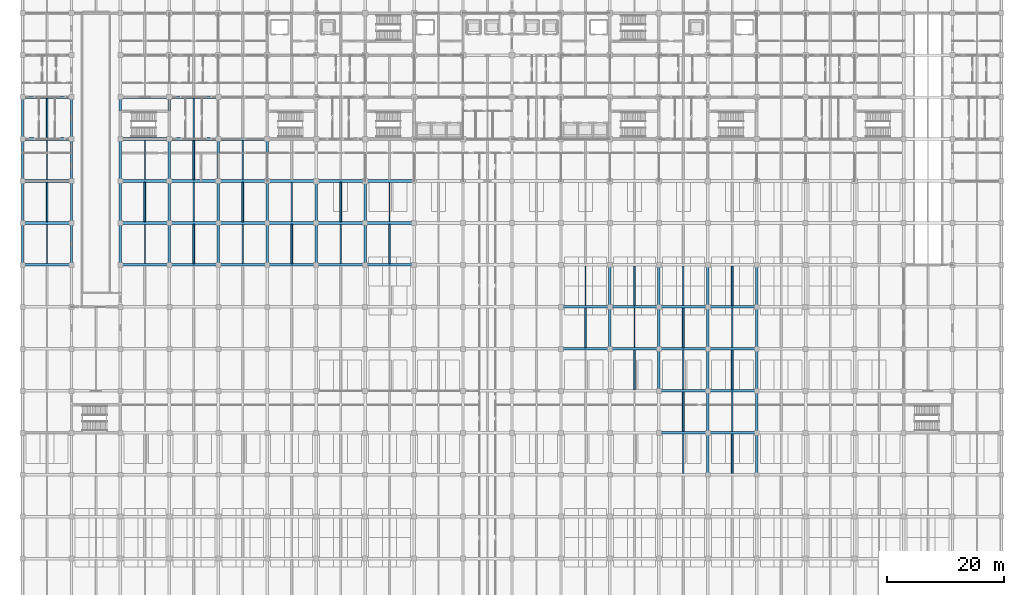
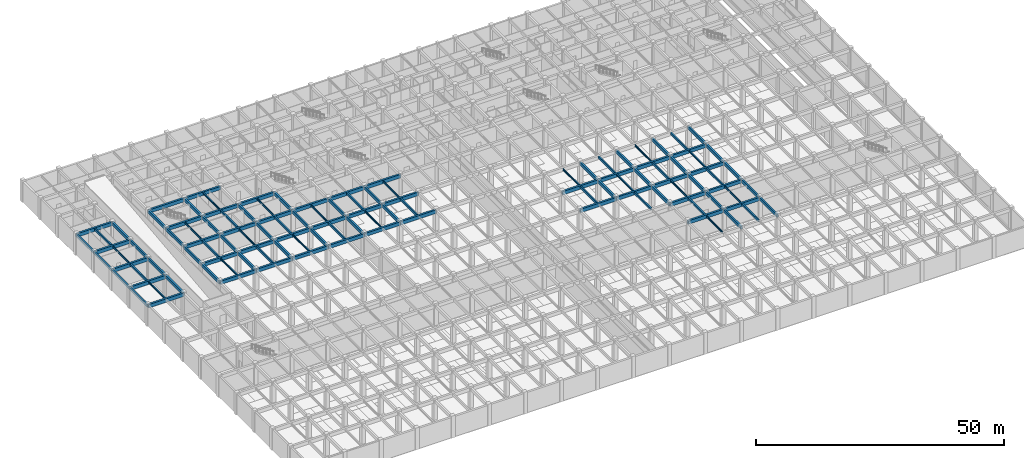
# One storey, part 6 of 48: 116 beams.
"""IFC4 building model written with IfcOpenShell, lengths in metres."""

from ifc_helpers import new_model, si_unit, direction, frame, origin, origin_2d, place, context, subcontext, project, spatial, rectangle, i_section, extrude, material, material_profile, profile_set, type_object, element, save


model = new_model("IFC4")

# Units and contexts
model_context = context("Model", 3, precision=1e-05, world=origin(), true_north=direction((0.0, 1.0)))
body_context = subcontext(model_context, "Body", "Model", "MODEL_VIEW")
ifc_project = project(units=[si_unit("LENGTHUNIT", "METRE"), si_unit("AREAUNIT", "SQUARE_METRE"), si_unit("VOLUMEUNIT", "CUBIC_METRE"), si_unit("PLANEANGLEUNIT", "RADIAN"), si_unit("MASSUNIT", "GRAM", prefix="KILO")], contexts=[model_context])

# Site, building, storey
site_placement = place(None, origin())
site = spatial("IfcSite", under=ifc_project, at=site_placement, CompositionType="ELEMENT")
building_placement = place(site_placement, origin())
building = spatial("IfcBuilding", under=site, at=building_placement, Name="Chengyuan Square Courthouse", CompositionType="ELEMENT")
storey_placement = place(building_placement, frame((0.0, 0.0, -5.39990234375)))
storey = spatial("IfcBuildingStorey", under=building, at=storey_placement, Name="B01", CompositionType="ELEMENT", Elevation=-5.39990234375)

# Beams
ifc_material_1 = material(Name="Concrete C40", Category="concrete")
ifc_material_profile_1 = material_profile(ifc_material_1, rectangle(XDim=0.449951171875, YDim=0.85009765625, at=origin_2d()), Name="RC-BM-450x850")
ifc_profile_set_1 = profile_set([ifc_material_profile_1], Name="Concrete C40")
beam_type_1 = type_object("IfcBeamType", Name="BM-01", PredefinedType="USERDEFINED", material=ifc_profile_set_1)
beam_1_placement = place(storey_placement, frame((109.199951171875, 36.0, 4.554931640625), z_axis=(1.0, 0.0, 0.0), x_axis=(0.0, 1.0, 0.0)))
element("IfcBeam", 1, at=beam_1_placement, inside=storey, type_object=beam_type_1, Name="Girder BM-B01-0785", ObjectType="GIRDER", PredefinedType="USERDEFINED", context=body_context, shape_type="SweptSolid", body=[
    extrude(rectangle(XDim=0.449951171875, YDim=0.85009765625, at=origin_2d()), origin(), (0.0, 0.0, 1.0), 8.400146484375),
])
beam_2_placement = place(storey_placement, frame((117.60009765625, 36.0, 4.554931640625), z_axis=(1.0, 0.0, 0.0), x_axis=(0.0, 1.0, 0.0)))
element("IfcBeam", 2, at=beam_2_placement, inside=storey, type_object=beam_type_1, Name="Girder BM-B01-0786", ObjectType="GIRDER", PredefinedType="USERDEFINED", context=body_context, shape_type="SweptSolid", body=[
    extrude(rectangle(XDim=0.449951171875, YDim=0.85009765625, at=origin_2d()), origin(), (0.0, 0.0, 1.0), 8.39990234375),
])
beam_3_placement = place(storey_placement, frame((109.199951171875, 43.199951171875, 4.554931640625), z_axis=(1.0, 0.0, 0.0), x_axis=(0.0, 1.0, 0.0)))
element("IfcBeam", 3, at=beam_3_placement, inside=storey, type_object=beam_type_1, Name="Girder BM-B01-0805", ObjectType="GIRDER", PredefinedType="USERDEFINED", context=body_context, shape_type="SweptSolid", body=[
    extrude(rectangle(XDim=0.449951171875, YDim=0.85009765625, at=origin_2d()), origin(), (0.0, 0.0, 1.0), 8.400146484375),
])
beam_4_placement = place(storey_placement, frame((117.60009765625, 43.199951171875, 4.554931640625), z_axis=(1.0, 0.0, 0.0), x_axis=(0.0, 1.0, 0.0)))
element("IfcBeam", 4, at=beam_4_placement, inside=storey, type_object=beam_type_1, Name="Girder BM-B01-0806", ObjectType="GIRDER", PredefinedType="USERDEFINED", context=body_context, shape_type="SweptSolid", body=[
    extrude(rectangle(XDim=0.449951171875, YDim=0.85009765625, at=origin_2d()), origin(), (0.0, 0.0, 1.0), 8.39990234375),
])
beam_5_placement = place(storey_placement, frame((92.39990234375, 50.39990234375, 4.554931640625), z_axis=(1.0, 0.0, 0.0), x_axis=(0.0, 1.0, 0.0)))
element("IfcBeam", 5, at=beam_5_placement, inside=storey, type_object=beam_type_1, Name="Girder BM-B01-0823", ObjectType="GIRDER", PredefinedType="USERDEFINED", context=body_context, shape_type="SweptSolid", body=[
    extrude(rectangle(XDim=0.449951171875, YDim=0.85009765625, at=origin_2d()), origin(), (0.0, 0.0, 1.0), 8.400146484375),
])
beam_6_placement = place(storey_placement, frame((100.800048828125, 50.39990234375, 4.554931640625), z_axis=(1.0, 0.0, 0.0), x_axis=(0.0, 1.0, 0.0)))
element("IfcBeam", 6, at=beam_6_placement, inside=storey, type_object=beam_type_1, Name="Girder BM-B01-0824", ObjectType="GIRDER", PredefinedType="USERDEFINED", context=body_context, shape_type="SweptSolid", body=[
    extrude(rectangle(XDim=0.449951171875, YDim=0.85009765625, at=origin_2d()), origin(), (0.0, 0.0, 1.0), 8.39990234375),
])
beam_7_placement = place(storey_placement, frame((109.199951171875, 50.39990234375, 4.554931640625), z_axis=(1.0, 0.0, 0.0), x_axis=(0.0, 1.0, 0.0)))
element("IfcBeam", 7, at=beam_7_placement, inside=storey, type_object=beam_type_1, Name="Girder BM-B01-0825", ObjectType="GIRDER", PredefinedType="USERDEFINED", context=body_context, shape_type="SweptSolid", body=[
    extrude(rectangle(XDim=0.449951171875, YDim=0.85009765625, at=origin_2d()), origin(), (0.0, 0.0, 1.0), 8.400146484375),
])
beam_8_placement = place(storey_placement, frame((117.60009765625, 50.39990234375, 4.554931640625), z_axis=(1.0, 0.0, 0.0), x_axis=(0.0, 1.0, 0.0)))
element("IfcBeam", 8, at=beam_8_placement, inside=storey, type_object=beam_type_1, Name="Girder BM-B01-0826", ObjectType="GIRDER", PredefinedType="USERDEFINED", context=body_context, shape_type="SweptSolid", body=[
    extrude(rectangle(XDim=0.449951171875, YDim=0.85009765625, at=origin_2d()), origin(), (0.0, 0.0, 1.0), 8.39990234375),
])
beam_9_placement = place(storey_placement, frame((92.39990234375, 57.60009765625, 4.554931640625), z_axis=(1.0, 0.0, 0.0), x_axis=(0.0, 1.0, 0.0)))
element("IfcBeam", 9, at=beam_9_placement, inside=storey, type_object=beam_type_1, Name="Girder BM-B01-0843", ObjectType="GIRDER", PredefinedType="USERDEFINED", context=body_context, shape_type="SweptSolid", body=[
    extrude(rectangle(XDim=0.449951171875, YDim=0.85009765625, at=origin_2d()), origin(), (0.0, 0.0, 1.0), 8.400146484375),
])
beam_10_placement = place(storey_placement, frame((100.800048828125, 57.60009765625, 4.554931640625), z_axis=(1.0, 0.0, 0.0), x_axis=(0.0, 1.0, 0.0)))
element("IfcBeam", 10, at=beam_10_placement, inside=storey, type_object=beam_type_1, Name="Girder BM-B01-0844", ObjectType="GIRDER", PredefinedType="USERDEFINED", context=body_context, shape_type="SweptSolid", body=[
    extrude(rectangle(XDim=0.449951171875, YDim=0.85009765625, at=origin_2d()), origin(), (0.0, 0.0, 1.0), 8.39990234375),
])
beam_11_placement = place(storey_placement, frame((109.199951171875, 57.60009765625, 4.554931640625), z_axis=(1.0, 0.0, 0.0), x_axis=(0.0, 1.0, 0.0)))
element("IfcBeam", 11, at=beam_11_placement, inside=storey, type_object=beam_type_1, Name="Girder BM-B01-0845", ObjectType="GIRDER", PredefinedType="USERDEFINED", context=body_context, shape_type="SweptSolid", body=[
    extrude(rectangle(XDim=0.449951171875, YDim=0.85009765625, at=origin_2d()), origin(), (0.0, 0.0, 1.0), 8.400146484375),
])
for number, where, z_axis, x_axis, name in (
    (12, (117.60009765625, 57.60009765625, 4.554931640625), (1.0, 0.0, 0.0), (0.0, 1.0, 0.0), "Girder BM-B01-0846"),
    (13, (0.0, 64.800048828125, 4.6748046875), (1.0, 0.0, 0.0), (0.0, 1.0, 0.0), "Girder BM-B01-0852"),
    (14, (16.800048828125, 64.800048828125, 4.554931640625), (1.0, 0.0, 0.0), (0.0, 1.0, 0.0), "Girder BM-B01-0853"),
):
    element("IfcBeam", number, at=place(storey_placement, frame(where, z_axis=z_axis, x_axis=x_axis)), inside=storey, type_object=beam_type_1, Name=name, ObjectType="GIRDER", PredefinedType="USERDEFINED", context=body_context, shape_type="SweptSolid", body=[
        extrude(rectangle(XDim=0.449951171875, YDim=0.85009765625, at=origin_2d()), origin(), (0.0, 0.0, 1.0), 8.39990234375),
    ])
beam_12_placement = place(storey_placement, frame((25.199951171875, 64.800048828125, 4.554931640625), z_axis=(1.0, 0.0, 0.0), x_axis=(0.0, 1.0, 0.0)))
element("IfcBeam", 15, at=beam_12_placement, inside=storey, type_object=beam_type_1, Name="Girder BM-B01-0854", ObjectType="GIRDER", PredefinedType="USERDEFINED", context=body_context, shape_type="SweptSolid", body=[
    extrude(rectangle(XDim=0.449951171875, YDim=0.85009765625, at=origin_2d()), origin(), (0.0, 0.0, 1.0), 8.400146484375),
])
for number, where, z_axis, x_axis, name in (
    (16, (33.60009765625, 64.800048828125, 4.554931640625), (1.0, 0.0, 0.0), (0.0, 1.0, 0.0), "Girder BM-B01-0855"),
    (17, (42.0, 64.800048828125, 4.554931640625), (1.0, 0.0, 0.0), (0.0, 1.0, 0.0), "Girder BM-B01-0856"),
):
    element("IfcBeam", number, at=place(storey_placement, frame(where, z_axis=z_axis, x_axis=x_axis)), inside=storey, type_object=beam_type_1, Name=name, ObjectType="GIRDER", PredefinedType="USERDEFINED", context=body_context, shape_type="SweptSolid", body=[
        extrude(rectangle(XDim=0.449951171875, YDim=0.85009765625, at=origin_2d()), origin(), (0.0, 0.0, 1.0), 8.39990234375),
    ])
beam_13_placement = place(storey_placement, frame((50.39990234375, 64.800048828125, 4.554931640625), z_axis=(1.0, 0.0, 0.0), x_axis=(0.0, 1.0, 0.0)))
element("IfcBeam", 18, at=beam_13_placement, inside=storey, type_object=beam_type_1, Name="Girder BM-B01-0857", ObjectType="GIRDER", PredefinedType="USERDEFINED", context=body_context, shape_type="SweptSolid", body=[
    extrude(rectangle(XDim=0.449951171875, YDim=0.85009765625, at=origin_2d()), origin(), (0.0, 0.0, 1.0), 8.400146484375),
])
for number, where, z_axis, x_axis, name in (
    (19, (58.800048828125, 64.800048828125, 4.554931640625), (1.0, 0.0, 0.0), (0.0, 1.0, 0.0), "Girder BM-B01-0858"),
    (20, (0.0, 72.0, 4.6748046875), (1.0, 0.0, 0.0), (0.0, 1.0, 0.0), "Girder BM-B01-0871"),
    (21, (16.800048828125, 72.0, 4.554931640625), (1.0, 0.0, 0.0), (0.0, 1.0, 0.0), "Girder BM-B01-0872"),
):
    element("IfcBeam", number, at=place(storey_placement, frame(where, z_axis=z_axis, x_axis=x_axis)), inside=storey, type_object=beam_type_1, Name=name, ObjectType="GIRDER", PredefinedType="USERDEFINED", context=body_context, shape_type="SweptSolid", body=[
        extrude(rectangle(XDim=0.449951171875, YDim=0.85009765625, at=origin_2d()), origin(), (0.0, 0.0, 1.0), 8.39990234375),
    ])
beam_14_placement = place(storey_placement, frame((25.199951171875, 72.0, 4.554931640625), z_axis=(1.0, 0.0, 0.0), x_axis=(0.0, 1.0, 0.0)))
element("IfcBeam", 22, at=beam_14_placement, inside=storey, type_object=beam_type_1, Name="Girder BM-B01-0873", ObjectType="GIRDER", PredefinedType="USERDEFINED", context=body_context, shape_type="SweptSolid", body=[
    extrude(rectangle(XDim=0.449951171875, YDim=0.85009765625, at=origin_2d()), origin(), (0.0, 0.0, 1.0), 8.400146484375),
])
for number, where, z_axis, x_axis, name in (
    (23, (33.60009765625, 72.0, 4.554931640625), (1.0, 0.0, 0.0), (0.0, 1.0, 0.0), "Girder BM-B01-0874"),
    (24, (42.0, 72.0, 4.554931640625), (1.0, 0.0, 0.0), (0.0, 1.0, 0.0), "Girder BM-B01-0875"),
):
    element("IfcBeam", number, at=place(storey_placement, frame(where, z_axis=z_axis, x_axis=x_axis)), inside=storey, type_object=beam_type_1, Name=name, ObjectType="GIRDER", PredefinedType="USERDEFINED", context=body_context, shape_type="SweptSolid", body=[
        extrude(rectangle(XDim=0.449951171875, YDim=0.85009765625, at=origin_2d()), origin(), (0.0, 0.0, 1.0), 8.39990234375),
    ])
beam_15_placement = place(storey_placement, frame((50.39990234375, 72.0, 4.554931640625), z_axis=(1.0, 0.0, 0.0), x_axis=(0.0, 1.0, 0.0)))
element("IfcBeam", 25, at=beam_15_placement, inside=storey, type_object=beam_type_1, Name="Girder BM-B01-0876", ObjectType="GIRDER", PredefinedType="USERDEFINED", context=body_context, shape_type="SweptSolid", body=[
    extrude(rectangle(XDim=0.449951171875, YDim=0.85009765625, at=origin_2d()), origin(), (0.0, 0.0, 1.0), 8.400146484375),
])
for number, where, z_axis, x_axis, name in (
    (26, (58.800048828125, 72.0, 4.554931640625), (1.0, 0.0, 0.0), (0.0, 1.0, 0.0), "Girder BM-B01-0877"),
    (27, (0.0, 79.199951171875, 4.6748046875), (1.0, 0.0, 0.0), (0.0, 1.0, 0.0), "Girder BM-B01-0890"),
    (28, (16.800048828125, 79.199951171875, 4.554931640625), (1.0, 0.0, 0.0), (0.0, 1.0, 0.0), "Girder BM-B01-0891"),
):
    element("IfcBeam", number, at=place(storey_placement, frame(where, z_axis=z_axis, x_axis=x_axis)), inside=storey, type_object=beam_type_1, Name=name, ObjectType="GIRDER", PredefinedType="USERDEFINED", context=body_context, shape_type="SweptSolid", body=[
        extrude(rectangle(XDim=0.449951171875, YDim=0.85009765625, at=origin_2d()), origin(), (0.0, 0.0, 1.0), 8.39990234375),
    ])
beam_16_placement = place(storey_placement, frame((25.199951171875, 79.199951171875, 4.554931640625), z_axis=(1.0, 0.0, 0.0), x_axis=(0.0, 1.0, 0.0)))
element("IfcBeam", 29, at=beam_16_placement, inside=storey, type_object=beam_type_1, Name="Girder BM-B01-0892", ObjectType="GIRDER", PredefinedType="USERDEFINED", context=body_context, shape_type="SweptSolid", body=[
    extrude(rectangle(XDim=0.449951171875, YDim=0.85009765625, at=origin_2d()), origin(), (0.0, 0.0, 1.0), 8.400146484375),
])
for number, where, z_axis, x_axis, name in (
    (30, (33.60009765625, 79.199951171875, 4.554931640625), (1.0, 0.0, 0.0), (0.0, 1.0, 0.0), "Girder BM-B01-0893"),
    (31, (42.0, 79.199951171875, 4.554931640625), (1.0, 0.0, 0.0), (0.0, 1.0, 0.0), "Girder BM-B01-0894"),
):
    element("IfcBeam", number, at=place(storey_placement, frame(where, z_axis=z_axis, x_axis=x_axis)), inside=storey, type_object=beam_type_1, Name=name, ObjectType="GIRDER", PredefinedType="USERDEFINED", context=body_context, shape_type="SweptSolid", body=[
        extrude(rectangle(XDim=0.449951171875, YDim=0.85009765625, at=origin_2d()), origin(), (0.0, 0.0, 1.0), 8.39990234375),
    ])
beam_17_placement = place(storey_placement, frame((50.39990234375, 79.199951171875, 4.554931640625), z_axis=(1.0, 0.0, 0.0), x_axis=(0.0, 1.0, 0.0)))
element("IfcBeam", 32, at=beam_17_placement, inside=storey, type_object=beam_type_1, Name="Girder BM-B01-0895", ObjectType="GIRDER", PredefinedType="USERDEFINED", context=body_context, shape_type="SweptSolid", body=[
    extrude(rectangle(XDim=0.449951171875, YDim=0.85009765625, at=origin_2d()), origin(), (0.0, 0.0, 1.0), 8.400146484375),
])
for number, where, z_axis, x_axis, name in (
    (33, (58.800048828125, 79.199951171875, 4.554931640625), (1.0, 0.0, 0.0), (0.0, 1.0, 0.0), "Girder BM-B01-0896"),
    (34, (0.0, 86.39990234375, 4.6748046875), (1.0, 0.0, 0.0), (0.0, 1.0, 0.0), "Girder BM-B01-0909"),
    (35, (16.800048828125, 86.39990234375, 4.6748046875), (1.0, 0.0, 0.0), (0.0, 1.0, 0.0), "Girder BM-B01-0910"),
):
    element("IfcBeam", number, at=place(storey_placement, frame(where, z_axis=z_axis, x_axis=x_axis)), inside=storey, type_object=beam_type_1, Name=name, ObjectType="GIRDER", PredefinedType="USERDEFINED", context=body_context, shape_type="SweptSolid", body=[
        extrude(rectangle(XDim=0.449951171875, YDim=0.85009765625, at=origin_2d()), origin(), (0.0, 0.0, 1.0), 8.39990234375),
    ])
beam_18_placement = place(storey_placement, frame((25.199951171875, 86.39990234375, 4.6748046875), z_axis=(1.0, 0.0, 0.0), x_axis=(0.0, 1.0, 0.0)))
element("IfcBeam", 36, at=beam_18_placement, inside=storey, type_object=beam_type_1, Name="Girder BM-B01-0911", ObjectType="GIRDER", PredefinedType="USERDEFINED", context=body_context, shape_type="SweptSolid", body=[
    extrude(rectangle(XDim=0.449951171875, YDim=0.85009765625, at=origin_2d()), origin(), (0.0, 0.0, 1.0), 8.400146484375),
])
for number, where, z_axis, x_axis, name in (
    (37, (33.60009765625, 86.39990234375, 4.6748046875), (1.0, 0.0, 0.0), (0.0, 1.0, 0.0), "Girder BM-B01-0912"),
    (38, (0.0, 93.60009765625, 4.6748046875), (1.0, 0.0, 0.0), (0.0, 1.0, 0.0), "Girder BM-B01-0928"),
    (39, (16.800048828125, 93.60009765625, 4.6748046875), (1.0, 0.0, 0.0), (0.0, 1.0, 0.0), "Girder BM-B01-0929"),
):
    element("IfcBeam", number, at=place(storey_placement, frame(where, z_axis=z_axis, x_axis=x_axis)), inside=storey, type_object=beam_type_1, Name=name, ObjectType="GIRDER", PredefinedType="USERDEFINED", context=body_context, shape_type="SweptSolid", body=[
        extrude(rectangle(XDim=0.449951171875, YDim=0.85009765625, at=origin_2d()), origin(), (0.0, 0.0, 1.0), 8.39990234375),
    ])
beam_19_placement = place(storey_placement, frame((25.199951171875, 93.60009765625, 4.6748046875), z_axis=(1.0, 0.0, 0.0), x_axis=(0.0, 1.0, 0.0)))
element("IfcBeam", 40, at=beam_19_placement, inside=storey, type_object=beam_type_1, Name="Girder BM-B01-0930", ObjectType="GIRDER", PredefinedType="USERDEFINED", context=body_context, shape_type="SweptSolid", body=[
    extrude(rectangle(XDim=0.449951171875, YDim=0.85009765625, at=origin_2d()), origin(), (0.0, 0.0, 1.0), 8.400146484375),
])
ifc_material_profile_2 = material_profile(ifc_material_1, rectangle(XDim=0.39990234375, YDim=0.75, at=origin_2d()), Name="RC-BM-400x750")
ifc_profile_set_2 = profile_set([ifc_material_profile_2], Name="Concrete C40")
beam_type_2 = type_object("IfcBeamType", Name="BM-02", PredefinedType="USERDEFINED", material=ifc_profile_set_2)
for number, where, z_axis, x_axis, name in (
    (41, (8.39990234375, 64.800048828125, 4.724853515625), (0.0, 1.0, 0.0), (-1.0, 0.0, 0.0), "Girder BM-B01-1031"),
    (42, (8.39990234375, 72.0, 4.724853515625), (0.0, 1.0, 0.0), (-1.0, 0.0, 0.0), "Girder BM-B01-1032"),
    (43, (8.39990234375, 79.199951171875, 4.724853515625), (0.0, 1.0, 0.0), (-1.0, 0.0, 0.0), "Girder BM-B01-1033"),
):
    element("IfcBeam", number, at=place(storey_placement, frame(where, z_axis=z_axis, x_axis=x_axis)), inside=storey, type_object=beam_type_2, Name=name, ObjectType="GIRDER", PredefinedType="USERDEFINED", context=body_context, shape_type="SweptSolid", body=[
        extrude(rectangle(XDim=0.39990234375, YDim=0.75, at=origin_2d()), origin(), (0.0, 0.0, 1.0), 7.199951171875),
    ])
beam_20_placement = place(storey_placement, frame((8.39990234375, 86.39990234375, 4.724853515625), z_axis=(0.0, 1.0, 0.0), x_axis=(-1.0, 0.0, 0.0)))
element("IfcBeam", 44, at=beam_20_placement, inside=storey, type_object=beam_type_2, Name="Girder BM-B01-1034", ObjectType="GIRDER", PredefinedType="USERDEFINED", context=body_context, shape_type="SweptSolid", body=[
    extrude(rectangle(XDim=0.39990234375, YDim=0.75, at=origin_2d()), origin(), (0.0, 0.0, 1.0), 7.2001953125),
])
for number, where, z_axis, x_axis, name in (
    (45, (16.800048828125, 64.800048828125, 4.60498046875), (0.0, 1.0, 0.0), (-1.0, 0.0, 0.0), "Girder BM-B01-1047"),
    (46, (16.800048828125, 72.0, 4.60498046875), (0.0, 1.0, 0.0), (-1.0, 0.0, 0.0), "Girder BM-B01-1048"),
    (47, (16.800048828125, 79.199951171875, 4.724853515625), (0.0, 1.0, 0.0), (-1.0, 0.0, 0.0), "Girder BM-B01-1049"),
):
    element("IfcBeam", number, at=place(storey_placement, frame(where, z_axis=z_axis, x_axis=x_axis)), inside=storey, type_object=beam_type_2, Name=name, ObjectType="GIRDER", PredefinedType="USERDEFINED", context=body_context, shape_type="SweptSolid", body=[
        extrude(rectangle(XDim=0.39990234375, YDim=0.75, at=origin_2d()), origin(), (0.0, 0.0, 1.0), 7.199951171875),
    ])
beam_21_placement = place(storey_placement, frame((16.800048828125, 86.39990234375, 4.724853515625), z_axis=(0.0, 1.0, 0.0), x_axis=(-1.0, 0.0, 0.0)))
element("IfcBeam", 48, at=beam_21_placement, inside=storey, type_object=beam_type_2, Name="Girder BM-B01-1050", ObjectType="GIRDER", PredefinedType="USERDEFINED", context=body_context, shape_type="SweptSolid", body=[
    extrude(rectangle(XDim=0.39990234375, YDim=0.75, at=origin_2d()), origin(), (0.0, 0.0, 1.0), 7.2001953125),
])
for number, where, z_axis, x_axis, name in (
    (49, (25.199951171875, 64.800048828125, 4.60498046875), (0.0, 1.0, 0.0), (-1.0, 0.0, 0.0), "Girder BM-B01-1063"),
    (50, (25.199951171875, 72.0, 4.60498046875), (0.0, 1.0, 0.0), (-1.0, 0.0, 0.0), "Girder BM-B01-1064"),
    (51, (25.199951171875, 79.199951171875, 4.724853515625), (0.0, 1.0, 0.0), (-1.0, 0.0, 0.0), "Girder BM-B01-1065"),
):
    element("IfcBeam", number, at=place(storey_placement, frame(where, z_axis=z_axis, x_axis=x_axis)), inside=storey, type_object=beam_type_2, Name=name, ObjectType="GIRDER", PredefinedType="USERDEFINED", context=body_context, shape_type="SweptSolid", body=[
        extrude(rectangle(XDim=0.39990234375, YDim=0.75, at=origin_2d()), origin(), (0.0, 0.0, 1.0), 7.199951171875),
    ])
beam_22_placement = place(storey_placement, frame((25.199951171875, 86.39990234375, 4.724853515625), z_axis=(0.0, 1.0, 0.0), x_axis=(-1.0, 0.0, 0.0)))
element("IfcBeam", 52, at=beam_22_placement, inside=storey, type_object=beam_type_2, Name="Girder BM-B01-1066", ObjectType="GIRDER", PredefinedType="USERDEFINED", context=body_context, shape_type="SweptSolid", body=[
    extrude(rectangle(XDim=0.39990234375, YDim=0.75, at=origin_2d()), origin(), (0.0, 0.0, 1.0), 7.2001953125),
])
for number, where, z_axis, x_axis, name in (
    (53, (33.60009765625, 64.800048828125, 4.60498046875), (0.0, 1.0, 0.0), (-1.0, 0.0, 0.0), "Girder BM-B01-1079"),
    (54, (33.60009765625, 72.0, 4.60498046875), (0.0, 1.0, 0.0), (-1.0, 0.0, 0.0), "Girder BM-B01-1080"),
    (55, (33.60009765625, 79.199951171875, 4.724853515625), (0.0, 1.0, 0.0), (-1.0, 0.0, 0.0), "Girder BM-B01-1081"),
    (56, (42.0, 64.800048828125, 4.60498046875), (0.0, 1.0, 0.0), (-1.0, 0.0, 0.0), "Girder BM-B01-1095"),
    (57, (42.0, 72.0, 4.60498046875), (0.0, 1.0, 0.0), (-1.0, 0.0, 0.0), "Girder BM-B01-1096"),
    (58, (42.0, 79.199951171875, 4.724853515625), (0.0, 1.0, 0.0), (-1.0, 0.0, 0.0), "Girder BM-B01-1097"),
    (59, (50.39990234375, 64.800048828125, 4.60498046875), (0.0, 1.0, 0.0), (-1.0, 0.0, 0.0), "Girder BM-B01-1111"),
    (60, (50.39990234375, 72.0, 4.60498046875), (0.0, 1.0, 0.0), (-1.0, 0.0, 0.0), "Girder BM-B01-1112"),
    (61, (58.800048828125, 64.800048828125, 4.60498046875), (0.0, 1.0, 0.0), (-1.0, 0.0, 0.0), "Girder BM-B01-1127"),
    (62, (58.800048828125, 72.0, 4.60498046875), (0.0, 1.0, 0.0), (-1.0, 0.0, 0.0), "Girder BM-B01-1128"),
):
    element("IfcBeam", number, at=place(storey_placement, frame(where, z_axis=z_axis, x_axis=x_axis)), inside=storey, type_object=beam_type_2, Name=name, ObjectType="GIRDER", PredefinedType="USERDEFINED", context=body_context, shape_type="SweptSolid", body=[
        extrude(rectangle(XDim=0.39990234375, YDim=0.75, at=origin_2d()), origin(), (0.0, 0.0, 1.0), 7.199951171875),
    ])
beam_23_placement = place(storey_placement, frame((100.800048828125, 50.39990234375, 4.60498046875), z_axis=(0.0, 1.0, 0.0), x_axis=(-1.0, 0.0, 0.0)))
element("IfcBeam", 63, at=beam_23_placement, inside=storey, type_object=beam_type_2, Name="Girder BM-B01-1205", ObjectType="GIRDER", PredefinedType="USERDEFINED", context=body_context, shape_type="SweptSolid", body=[
    extrude(rectangle(XDim=0.39990234375, YDim=0.75, at=origin_2d()), origin(), (0.0, 0.0, 1.0), 7.2001953125),
])
for number, where, z_axis, x_axis, name in (
    (64, (100.800048828125, 57.60009765625, 4.60498046875), (0.0, 1.0, 0.0), (-1.0, 0.0, 0.0), "Girder BM-B01-1206"),
    (65, (109.199951171875, 43.199951171875, 4.60498046875), (0.0, 1.0, 0.0), (-1.0, 0.0, 0.0), "Girder BM-B01-1220"),
):
    element("IfcBeam", number, at=place(storey_placement, frame(where, z_axis=z_axis, x_axis=x_axis)), inside=storey, type_object=beam_type_2, Name=name, ObjectType="GIRDER", PredefinedType="USERDEFINED", context=body_context, shape_type="SweptSolid", body=[
        extrude(rectangle(XDim=0.39990234375, YDim=0.75, at=origin_2d()), origin(), (0.0, 0.0, 1.0), 7.199951171875),
    ])
beam_24_placement = place(storey_placement, frame((109.199951171875, 50.39990234375, 4.60498046875), z_axis=(0.0, 1.0, 0.0), x_axis=(-1.0, 0.0, 0.0)))
element("IfcBeam", 66, at=beam_24_placement, inside=storey, type_object=beam_type_2, Name="Girder BM-B01-1221", ObjectType="GIRDER", PredefinedType="USERDEFINED", context=body_context, shape_type="SweptSolid", body=[
    extrude(rectangle(XDim=0.39990234375, YDim=0.75, at=origin_2d()), origin(), (0.0, 0.0, 1.0), 7.2001953125),
])
for number, where, z_axis, x_axis, name in (
    (67, (109.199951171875, 57.60009765625, 4.60498046875), (0.0, 1.0, 0.0), (-1.0, 0.0, 0.0), "Girder BM-B01-1222"),
    (68, (117.60009765625, 28.800048828125, 4.60498046875), (0.0, 1.0, 0.0), (-1.0, 0.0, 0.0), "Girder BM-B01-1234"),
    (69, (117.60009765625, 36.0, 4.60498046875), (0.0, 1.0, 0.0), (-1.0, 0.0, 0.0), "Girder BM-B01-1235"),
    (70, (117.60009765625, 43.199951171875, 4.60498046875), (0.0, 1.0, 0.0), (-1.0, 0.0, 0.0), "Girder BM-B01-1236"),
):
    element("IfcBeam", number, at=place(storey_placement, frame(where, z_axis=z_axis, x_axis=x_axis)), inside=storey, type_object=beam_type_2, Name=name, ObjectType="GIRDER", PredefinedType="USERDEFINED", context=body_context, shape_type="SweptSolid", body=[
        extrude(rectangle(XDim=0.39990234375, YDim=0.75, at=origin_2d()), origin(), (0.0, 0.0, 1.0), 7.199951171875),
    ])
beam_25_placement = place(storey_placement, frame((117.60009765625, 50.39990234375, 4.60498046875), z_axis=(0.0, 1.0, 0.0), x_axis=(-1.0, 0.0, 0.0)))
element("IfcBeam", 71, at=beam_25_placement, inside=storey, type_object=beam_type_2, Name="Girder BM-B01-1237", ObjectType="GIRDER", PredefinedType="USERDEFINED", context=body_context, shape_type="SweptSolid", body=[
    extrude(rectangle(XDim=0.39990234375, YDim=0.75, at=origin_2d()), origin(), (0.0, 0.0, 1.0), 7.2001953125),
])
for number, where, z_axis, x_axis, name in (
    (72, (117.60009765625, 57.60009765625, 4.60498046875), (0.0, 1.0, 0.0), (-1.0, 0.0, 0.0), "Girder BM-B01-1238"),
    (73, (126.0, 28.800048828125, 4.60498046875), (0.0, 1.0, 0.0), (-1.0, 0.0, 0.0), "Girder BM-B01-1250"),
    (74, (126.0, 36.0, 4.60498046875), (0.0, 1.0, 0.0), (-1.0, 0.0, 0.0), "Girder BM-B01-1251"),
    (75, (126.0, 43.199951171875, 4.60498046875), (0.0, 1.0, 0.0), (-1.0, 0.0, 0.0), "Girder BM-B01-1252"),
):
    element("IfcBeam", number, at=place(storey_placement, frame(where, z_axis=z_axis, x_axis=x_axis)), inside=storey, type_object=beam_type_2, Name=name, ObjectType="GIRDER", PredefinedType="USERDEFINED", context=body_context, shape_type="SweptSolid", body=[
        extrude(rectangle(XDim=0.39990234375, YDim=0.75, at=origin_2d()), origin(), (0.0, 0.0, 1.0), 7.199951171875),
    ])
beam_26_placement = place(storey_placement, frame((126.0, 50.39990234375, 4.60498046875), z_axis=(0.0, 1.0, 0.0), x_axis=(-1.0, 0.0, 0.0)))
element("IfcBeam", 76, at=beam_26_placement, inside=storey, type_object=beam_type_2, Name="Girder BM-B01-1253", ObjectType="GIRDER", PredefinedType="USERDEFINED", context=body_context, shape_type="SweptSolid", body=[
    extrude(rectangle(XDim=0.39990234375, YDim=0.75, at=origin_2d()), origin(), (0.0, 0.0, 1.0), 7.2001953125),
])
beam_27_placement = place(storey_placement, frame((126.0, 57.60009765625, 4.60498046875), z_axis=(0.0, 1.0, 0.0), x_axis=(-1.0, 0.0, 0.0)))
element("IfcBeam", 77, at=beam_27_placement, inside=storey, type_object=beam_type_2, Name="Girder BM-B01-1254", ObjectType="GIRDER", PredefinedType="USERDEFINED", context=body_context, shape_type="SweptSolid", body=[
    extrude(rectangle(XDim=0.39990234375, YDim=0.75, at=origin_2d()), origin(), (0.0, 0.0, 1.0), 7.199951171875),
])
ifc_material_profile_3 = material_profile(ifc_material_1, rectangle(XDim=0.35009765625, YDim=0.64990234375, at=origin_2d()), Name="RC-BM-350x650")
ifc_profile_set_3 = profile_set([ifc_material_profile_3], Name="Concrete C40")
beam_type_3 = type_object("IfcBeamType", Name="BM-03", PredefinedType="SPANDREL", material=ifc_profile_set_3)
for number, where, z_axis, x_axis, name in (
    (78, (0.0, 64.800048828125, 4.77490234375), (0.0, 1.0, 0.0), (-1.0, 0.0, 0.0), "Girder BM-B01-1015"),
    (79, (0.0, 72.0, 4.77490234375), (0.0, 1.0, 0.0), (-1.0, 0.0, 0.0), "Girder BM-B01-1016"),
    (80, (0.0, 79.199951171875, 4.77490234375), (0.0, 1.0, 0.0), (-1.0, 0.0, 0.0), "Girder BM-B01-1017"),
):
    element("IfcBeam", number, at=place(storey_placement, frame(where, z_axis=z_axis, x_axis=x_axis)), inside=storey, type_object=beam_type_3, Name=name, PredefinedType="SPANDREL", context=body_context, shape_type="SweptSolid", body=[
        extrude(rectangle(XDim=0.35009765625, YDim=0.64990234375, at=origin_2d()), origin(), (0.0, 0.0, 1.0), 7.199951171875),
    ])
beam_28_placement = place(storey_placement, frame((0.0, 86.39990234375, 4.77490234375), z_axis=(0.0, 1.0, 0.0), x_axis=(-1.0, 0.0, 0.0)))
element("IfcBeam", 81, at=beam_28_placement, inside=storey, type_object=beam_type_3, Name="Girder BM-B01-1018", PredefinedType="SPANDREL", context=body_context, shape_type="SweptSolid", body=[
    extrude(rectangle(XDim=0.35009765625, YDim=0.64990234375, at=origin_2d()), origin(), (0.0, 0.0, 1.0), 7.2001953125),
])
ifc_material_profile_4 = material_profile(ifc_material_1, rectangle(XDim=0.300048828125, YDim=0.550048828125, at=origin_2d()), Name="RC-BM-300x550")
ifc_profile_set_4 = profile_set([ifc_material_profile_4], Name="Concrete C40")
beam_type_4 = type_object("IfcBeamType", Name="BM-04", PredefinedType="BEAM", material=ifc_profile_set_4)
for number, where, z_axis, x_axis, name in (
    (82, (4.199951171875, 72.22509765625, 4.824951171875), (0.0, 1.0, 0.0), (-1.0, 0.0, 0.0), "Secondary Floor Beam SBM-B01-1352"),
    (83, (4.199951171875, 86.625, 4.824951171875), (0.0, 1.0, 0.0), (-1.0, 0.0, 0.0), "Secondary Floor Beam SBM-B01-1354"),
    (84, (21.0, 72.22509765625, 4.704833984375), (0.0, 1.0, 0.0), (-1.0, 0.0, 0.0), "Secondary Floor Beam SBM-B01-1376"),
    (85, (29.39990234375, 65.02490234375, 4.704833984375), (0.0, 1.0, 0.0), (-1.0, 0.0, 0.0), "Secondary Floor Beam SBM-B01-1390"),
    (86, (29.39990234375, 79.425048828125, 4.824951171875), (0.0, 1.0, 0.0), (-1.0, 0.0, 0.0), "Secondary Floor Beam SBM-B01-1392"),
    (87, (37.800048828125, 72.22509765625, 4.704833984375), (0.0, 1.0, 0.0), (-1.0, 0.0, 0.0), "Secondary Floor Beam SBM-B01-1407"),
    (88, (46.199951171875, 65.02490234375, 4.704833984375), (0.0, 1.0, 0.0), (-1.0, 0.0, 0.0), "Secondary Floor Beam SBM-B01-1422"),
    (89, (54.60009765625, 72.22509765625, 4.704833984375), (0.0, 1.0, 0.0), (-1.0, 0.0, 0.0), "Secondary Floor Beam SBM-B01-1438"),
    (90, (63.0, 65.02490234375, 4.704833984375), (0.0, 1.0, 0.0), (-1.0, 0.0, 0.0), "Secondary Floor Beam SBM-B01-1453"),
    (91, (96.60009765625, 50.625, 4.704833984375), (0.0, 1.0, 0.0), (-1.0, 0.0, 0.0), "Secondary Floor Beam SBM-B01-1510"),
    (92, (105.0, 43.425048828125, 4.704833984375), (0.0, 1.0, 0.0), (-1.0, 0.0, 0.0), "Secondary Floor Beam SBM-B01-1524"),
    (93, (105.0, 57.824951171875, 4.704833984375), (0.0, 1.0, 0.0), (-1.0, 0.0, 0.0), "Secondary Floor Beam SBM-B01-1526"),
    (94, (113.39990234375, 36.22509765625, 4.704833984375), (0.0, 1.0, 0.0), (-1.0, 0.0, 0.0), "Secondary Floor Beam SBM-B01-1537"),
    (95, (113.39990234375, 50.625, 4.704833984375), (0.0, 1.0, 0.0), (-1.0, 0.0, 0.0), "Secondary Floor Beam SBM-B01-1539"),
    (96, (121.800048828125, 29.02490234375, 4.704833984375), (0.0, 1.0, 0.0), (-1.0, 0.0, 0.0), "Secondary Floor Beam SBM-B01-1552"),
    (97, (121.800048828125, 43.425048828125, 4.704833984375), (0.0, 1.0, 0.0), (-1.0, 0.0, 0.0), "Secondary Floor Beam SBM-B01-1554"),
    (98, (121.800048828125, 57.824951171875, 4.704833984375), (0.0, 1.0, 0.0), (-1.0, 0.0, 0.0), "Secondary Floor Beam SBM-B01-1556"),
):
    element("IfcBeam", number, at=place(storey_placement, frame(where, z_axis=z_axis, x_axis=x_axis)), inside=storey, type_object=beam_type_4, Name=name, PredefinedType="BEAM", context=body_context, shape_type="SweptSolid", body=[
        extrude(rectangle(XDim=0.300048828125, YDim=0.550048828125, at=origin_2d()), origin(), (0.0, 0.0, 1.0), 6.75),
    ])
ifc_material_2 = material(Name="Steel Q355B", Category="steel")
ifc_material_profile_5 = material_profile(ifc_material_2, i_section(OverallWidth=0.199951171875, OverallDepth=0.449951171875, WebThickness=0.009033203125, FlangeThickness=0.013916015625, at=origin_2d()), Name="HN 450x200x9x14")
ifc_profile_set_5 = profile_set([ifc_material_profile_5], Name="Steel Q355B")
beam_type_5 = type_object("IfcBeamType", Name="BM-06", PredefinedType="BEAM", material=ifc_profile_set_5)
for number, where, z_axis, x_axis, name in (
    (99, (4.199951171875, 65.02490234375, 4.875), (0.0, 1.0, 0.0), (-1.0, 0.0, 0.0), "Secondary Floor Beam SBM-B01-1351"),
    (100, (4.199951171875, 79.425048828125, 4.875), (0.0, 1.0, 0.0), (-1.0, 0.0, 0.0), "Secondary Floor Beam SBM-B01-1353"),
    (101, (21.0, 65.02490234375, 4.7548828125), (0.0, 1.0, 0.0), (-1.0, 0.0, 0.0), "Secondary Floor Beam SBM-B01-1375"),
    (102, (21.0, 79.425048828125, 4.875), (0.0, 1.0, 0.0), (-1.0, 0.0, 0.0), "Secondary Floor Beam SBM-B01-1377"),
    (103, (29.39990234375, 72.22509765625, 4.7548828125), (0.0, 1.0, 0.0), (-1.0, 0.0, 0.0), "Secondary Floor Beam SBM-B01-1391"),
    (104, (29.39990234375, 86.625, 4.875), (0.0, 1.0, 0.0), (-1.0, 0.0, 0.0), "Secondary Floor Beam SBM-B01-1393"),
    (105, (37.800048828125, 65.02490234375, 4.7548828125), (0.0, 1.0, 0.0), (-1.0, 0.0, 0.0), "Secondary Floor Beam SBM-B01-1406"),
    (106, (37.800048828125, 79.425048828125, 4.875), (0.0, 1.0, 0.0), (-1.0, 0.0, 0.0), "Secondary Floor Beam SBM-B01-1408"),
    (107, (46.199951171875, 72.22509765625, 4.7548828125), (0.0, 1.0, 0.0), (-1.0, 0.0, 0.0), "Secondary Floor Beam SBM-B01-1423"),
    (108, (54.60009765625, 65.02490234375, 4.7548828125), (0.0, 1.0, 0.0), (-1.0, 0.0, 0.0), "Secondary Floor Beam SBM-B01-1437"),
    (109, (63.0, 72.22509765625, 4.7548828125), (0.0, 1.0, 0.0), (-1.0, 0.0, 0.0), "Secondary Floor Beam SBM-B01-1454"),
    (110, (96.60009765625, 57.824951171875, 4.7548828125), (0.0, 1.0, 0.0), (-1.0, 0.0, 0.0), "Secondary Floor Beam SBM-B01-1511"),
    (111, (105.0, 50.625, 4.7548828125), (0.0, 1.0, 0.0), (-1.0, 0.0, 0.0), "Secondary Floor Beam SBM-B01-1525"),
    (112, (113.39990234375, 29.02490234375, 4.7548828125), (0.0, 1.0, 0.0), (-1.0, 0.0, 0.0), "Secondary Floor Beam SBM-B01-1536"),
    (113, (113.39990234375, 43.425048828125, 4.7548828125), (0.0, 1.0, 0.0), (-1.0, 0.0, 0.0), "Secondary Floor Beam SBM-B01-1538"),
    (114, (113.39990234375, 57.824951171875, 4.7548828125), (0.0, 1.0, 0.0), (-1.0, 0.0, 0.0), "Secondary Floor Beam SBM-B01-1540"),
    (115, (121.800048828125, 36.22509765625, 4.7548828125), (0.0, 1.0, 0.0), (-1.0, 0.0, 0.0), "Secondary Floor Beam SBM-B01-1553"),
    (116, (121.800048828125, 50.625, 4.7548828125), (0.0, 1.0, 0.0), (-1.0, 0.0, 0.0), "Secondary Floor Beam SBM-B01-1555"),
):
    element("IfcBeam", number, at=place(storey_placement, frame(where, z_axis=z_axis, x_axis=x_axis)), inside=storey, type_object=beam_type_5, Name=name, PredefinedType="BEAM", context=body_context, shape_type="SweptSolid", body=[
        extrude(i_section(OverallWidth=0.199951171875, OverallDepth=0.449951171875, WebThickness=0.009033203125, FlangeThickness=0.013916015625, at=origin_2d()), origin(), (0.0, 0.0, 1.0), 6.75),
    ])

save(model, "model.ifc")
